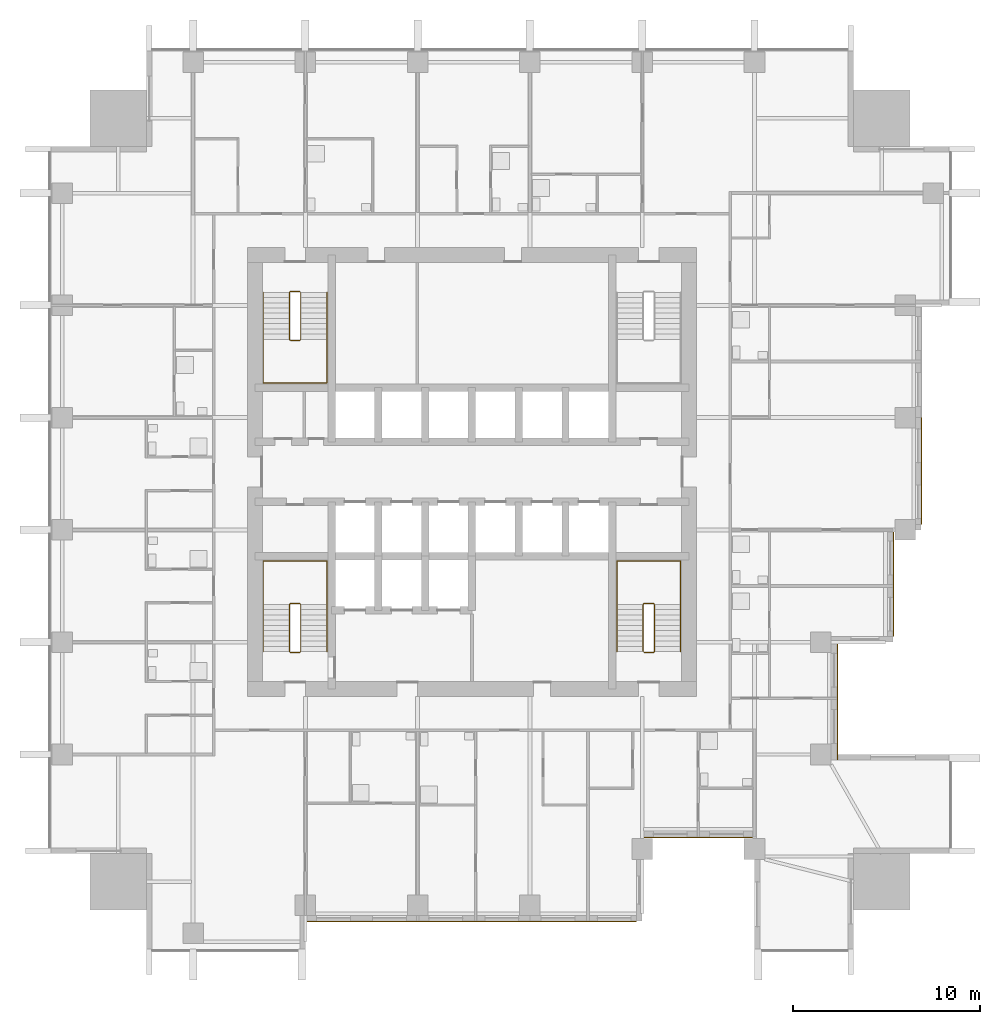
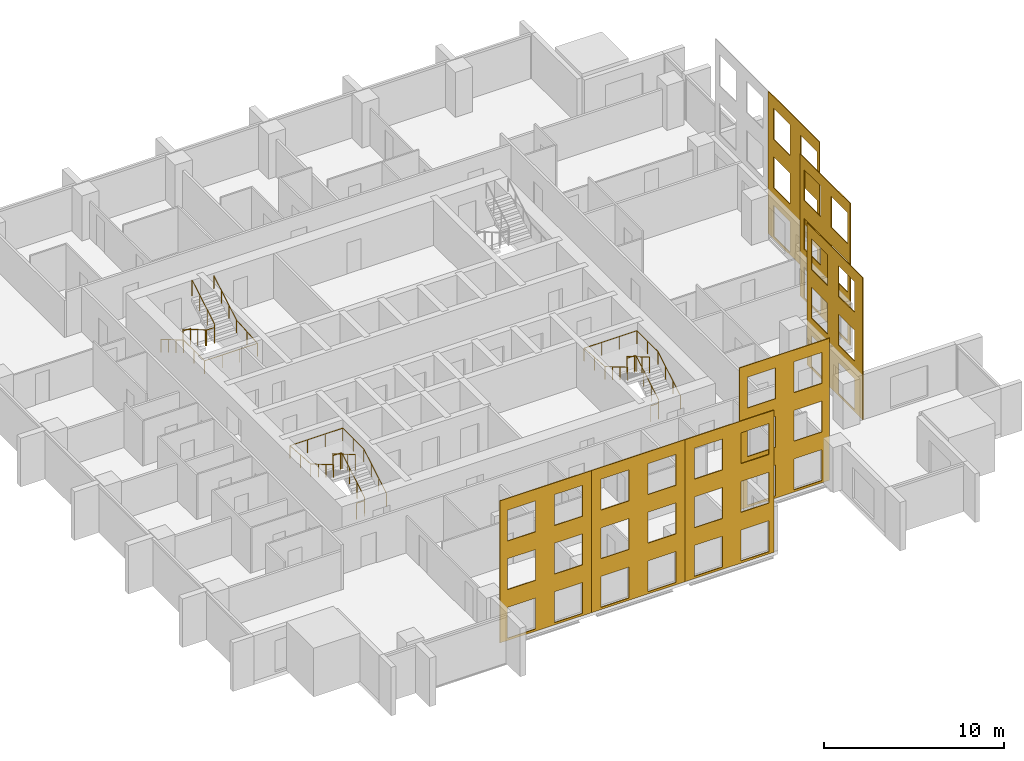
# One storey, part 9 of 11: 7 coverings, 6 railings.
"""IFC4 building model written with IfcOpenShell, lengths in metres."""

from ifc_helpers import new_model, si_unit, direction, frame, origin, origin_2d, place, context, subcontext, project, spatial, polyline, circle, outline, extrude, material, layer, layer_set, type_object, element, save


model = new_model("IFC4")

# Units and contexts
model_context = context("Model", 3, precision=1e-05, world=origin(), true_north=direction((0.0, 1.0)))
body_context = subcontext(model_context, "Body", "Model", "MODEL_VIEW")
ifc_project = project(units=[si_unit("LENGTHUNIT", "METRE"), si_unit("AREAUNIT", "SQUARE_METRE"), si_unit("VOLUMEUNIT", "CUBIC_METRE"), si_unit("PLANEANGLEUNIT", "RADIAN"), si_unit("MASSUNIT", "GRAM", prefix="KILO")], contexts=[model_context])

# Site, building, storey
site_placement = place(None, origin())
site = spatial("IfcSite", under=ifc_project, at=site_placement, CompositionType="ELEMENT")
building_placement = place(site_placement, origin())
building = spatial("IfcBuilding", under=site, at=building_placement, Name="Amberfall Residences", CompositionType="ELEMENT")
storey_placement = place(building_placement, frame((0.0, 0.0, 98.5)))
storey = spatial("IfcBuildingStorey", under=building, at=storey_placement, Name="L26", CompositionType="ELEMENT", Elevation=98.5)

# Coverings
ifc_material_1 = material(Name="Pale limestone cladding", Category="masonry")
ifc_layer = layer(ifc_material_1, 0.050048828125)
ifc_layer_set = layer_set([ifc_layer], Name="Limestone fascia 50")
covering_type = type_object("IfcCoveringType", Name="Limestone fascia 50", PredefinedType="CLADDING", material=ifc_layer_set)
covering_1_placement = place(storey_placement, frame((65.68994140625, 21.5, 9.64990234375), z_axis=(0.0, 1.0, 0.0), x_axis=(1.0, 0.0, 0.0)))
element("IfcCovering", 1, at=covering_1_placement, inside=storey, type_object=covering_type, Name="Pale limestone cladding L26-L28 S", PredefinedType="CLADDING", context=body_context, shape_type="SweptSolid", body=[
    extrude(outline(polyline([(0.0, 0.0), (5.91015625, 0.0), (5.91015625, 9.64990234375), (0.0, 9.64990234375), (0.0, 0.0)]), holes=[polyline([(0.510009765625, 7.39990234375), (2.31005859375, 7.39990234375), (2.31005859375, 9.5), (0.510009765625, 9.5), (0.510009765625, 7.39990234375)]), polyline([(3.510009765625, 7.39990234375), (5.31005859375, 7.39990234375), (5.31005859375, 9.5), (3.510009765625, 9.5), (3.510009765625, 7.39990234375)]), polyline([(0.510009765625, 4.099853515625), (2.31005859375, 4.099853515625), (2.31005859375, 6.199951171875), (0.510009765625, 6.199951171875), (0.510009765625, 4.099853515625)]), polyline([(3.510009765625, 4.099853515625), (5.31005859375, 4.099853515625), (5.31005859375, 6.199951171875), (3.510009765625, 6.199951171875), (3.510009765625, 4.099853515625)]), polyline([(0.510009765625, 0.7998046875), (2.31005859375, 0.7998046875), (2.31005859375, 2.89990234375), (0.510009765625, 2.89990234375), (0.510009765625, 0.7998046875)]), polyline([(3.510009765625, 0.7998046875), (5.31005859375, 0.7998046875), (5.31005859375, 2.89990234375), (3.510009765625, 2.89990234375), (3.510009765625, 0.7998046875)])]), origin(), (0.0, 0.0, -1.0), 0.050048828125),
])
covering_2_placement = place(storey_placement, frame((98.5, 42.699951171875, 9.64990234375), z_axis=(-1.0, 0.0, 0.0), x_axis=(0.0, 1.0, 0.0)))
element("IfcCovering", 2, at=covering_2_placement, inside=storey, type_object=covering_type, Name="Pale limestone cladding L26-L28 E", PredefinedType="CLADDING", context=body_context, shape_type="SweptSolid", body=[
    extrude(outline(polyline([(0.0, 0.0), (5.699951171875, 0.0), (5.699951171875, 9.64990234375), (0.0, 9.64990234375), (0.0, 0.0)]), holes=[polyline([(0.300048828125, 7.39990234375), (2.10009765625, 7.39990234375), (2.10009765625, 9.5), (0.300048828125, 9.5), (0.300048828125, 7.39990234375)]), polyline([(3.300048828125, 7.39990234375), (5.10009765625, 7.39990234375), (5.10009765625, 9.5), (3.300048828125, 9.5), (3.300048828125, 7.39990234375)]), polyline([(0.300048828125, 4.099853515625), (2.10009765625, 4.099853515625), (2.10009765625, 6.199951171875), (0.300048828125, 6.199951171875), (0.300048828125, 4.099853515625)]), polyline([(3.300048828125, 4.099853515625), (5.10009765625, 4.099853515625), (5.10009765625, 6.199951171875), (3.300048828125, 6.199951171875), (3.300048828125, 4.099853515625)]), polyline([(0.300048828125, 0.7998046875), (2.10009765625, 0.7998046875), (2.10009765625, 2.89990234375), (0.300048828125, 2.89990234375), (0.300048828125, 0.7998046875)]), polyline([(3.300048828125, 0.7998046875), (5.10009765625, 0.7998046875), (5.10009765625, 2.89990234375), (3.300048828125, 2.89990234375), (3.300048828125, 0.7998046875)])]), origin(), (0.0, 0.0, -1.0), 0.050048828125),
])
covering_3_placement = place(storey_placement, frame((94.0, 30.10009765625, 9.64990234375), z_axis=(-1.0, 0.0, 0.0), x_axis=(0.0, 1.0, 0.0)))
element("IfcCovering", 3, at=covering_3_placement, inside=storey, type_object=covering_type, Name="Pale limestone cladding L26-L28 E", PredefinedType="CLADDING", context=body_context, shape_type="SweptSolid", body=[
    extrude(outline(polyline([(0.0, 0.0), (6.2099609375, 0.0), (6.2099609375, 9.64990234375), (0.0, 9.64990234375), (0.0, 0.0)]), holes=[polyline([(0.89990234375, 7.39990234375), (2.699951171875, 7.39990234375), (2.699951171875, 9.5), (0.89990234375, 9.5), (0.89990234375, 7.39990234375)]), polyline([(3.89990234375, 7.39990234375), (5.699951171875, 7.39990234375), (5.699951171875, 9.5), (3.89990234375, 9.5), (3.89990234375, 7.39990234375)]), polyline([(0.89990234375, 4.099853515625), (2.699951171875, 4.099853515625), (2.699951171875, 6.199951171875), (0.89990234375, 6.199951171875), (0.89990234375, 4.099853515625)]), polyline([(3.89990234375, 4.099853515625), (5.699951171875, 4.099853515625), (5.699951171875, 6.199951171875), (3.89990234375, 6.199951171875), (3.89990234375, 4.099853515625)]), polyline([(0.89990234375, 0.7998046875), (2.699951171875, 0.7998046875), (2.699951171875, 2.89990234375), (0.89990234375, 2.89990234375), (0.89990234375, 0.7998046875)]), polyline([(3.89990234375, 0.7998046875), (5.699951171875, 0.7998046875), (5.699951171875, 2.89990234375), (3.89990234375, 2.89990234375), (3.89990234375, 0.7998046875)])]), origin(), (0.0, 0.0, -1.0), 0.050048828125),
])
covering_4_placement = place(storey_placement, frame((71.60009765625, 21.5, 9.64990234375), z_axis=(0.0, 1.0, 0.0), x_axis=(1.0, 0.0, 0.0)))
element("IfcCovering", 4, at=covering_4_placement, inside=storey, type_object=covering_type, Name="Pale limestone cladding L26-L28 S", PredefinedType="CLADDING", context=body_context, shape_type="SweptSolid", body=[
    extrude(outline(polyline([(0.0, 0.0), (6.0, 0.0), (6.0, 9.64990234375), (0.0, 9.64990234375), (0.0, 0.0)]), holes=[polyline([(0.599853515625, 7.39990234375), (2.39990234375, 7.39990234375), (2.39990234375, 9.5), (0.599853515625, 9.5), (0.599853515625, 7.39990234375)]), polyline([(3.599853515625, 7.39990234375), (5.39990234375, 7.39990234375), (5.39990234375, 9.5), (3.599853515625, 9.5), (3.599853515625, 7.39990234375)]), polyline([(0.599853515625, 4.099853515625), (2.39990234375, 4.099853515625), (2.39990234375, 6.199951171875), (0.599853515625, 6.199951171875), (0.599853515625, 4.099853515625)]), polyline([(3.599853515625, 4.099853515625), (5.39990234375, 4.099853515625), (5.39990234375, 6.199951171875), (3.599853515625, 6.199951171875), (3.599853515625, 4.099853515625)]), polyline([(0.599853515625, 0.7998046875), (2.39990234375, 0.7998046875), (2.39990234375, 2.89990234375), (0.599853515625, 2.89990234375), (0.599853515625, 0.7998046875)]), polyline([(3.599853515625, 0.7998046875), (5.39990234375, 0.7998046875), (5.39990234375, 2.89990234375), (3.599853515625, 2.89990234375), (3.599853515625, 0.7998046875)])]), origin(), (0.0, 0.0, -1.0), 0.050048828125),
])
covering_5_placement = place(storey_placement, frame((77.60009765625, 21.5, 9.64990234375), z_axis=(0.0, 1.0, 0.0), x_axis=(1.0, 0.0, 0.0)))
element("IfcCovering", 5, at=covering_5_placement, inside=storey, type_object=covering_type, Name="Pale limestone cladding L26-L28 S", PredefinedType="CLADDING", context=body_context, shape_type="SweptSolid", body=[
    extrude(outline(polyline([(0.0, 0.0), (5.699951171875, 0.0), (5.699951171875, 9.64990234375), (0.0, 9.64990234375), (0.0, 0.0)]), holes=[polyline([(0.599853515625, 7.39990234375), (2.39990234375, 7.39990234375), (2.39990234375, 9.5), (0.599853515625, 9.5), (0.599853515625, 7.39990234375)]), polyline([(3.599853515625, 7.39990234375), (5.39990234375, 7.39990234375), (5.39990234375, 9.5), (3.599853515625, 9.5), (3.599853515625, 7.39990234375)]), polyline([(0.599853515625, 4.099853515625), (2.39990234375, 4.099853515625), (2.39990234375, 6.199951171875), (0.599853515625, 6.199951171875), (0.599853515625, 4.099853515625)]), polyline([(3.599853515625, 4.099853515625), (5.39990234375, 4.099853515625), (5.39990234375, 6.199951171875), (3.599853515625, 6.199951171875), (3.599853515625, 4.099853515625)]), polyline([(0.599853515625, 0.7998046875), (2.39990234375, 0.7998046875), (2.39990234375, 2.89990234375), (0.599853515625, 2.89990234375), (0.599853515625, 0.7998046875)]), polyline([(3.599853515625, 0.7998046875), (5.39990234375, 0.7998046875), (5.39990234375, 2.89990234375), (3.599853515625, 2.89990234375), (3.599853515625, 0.7998046875)])]), origin(), (0.0, 0.0, -1.0), 0.050048828125),
])
covering_6_placement = place(storey_placement, frame((83.699951171875, 26.0, 9.64990234375), z_axis=(0.0, 1.0, 0.0), x_axis=(1.0, 0.0, 0.0)))
element("IfcCovering", 6, at=covering_6_placement, inside=storey, type_object=covering_type, Name="Pale limestone cladding L26-L28 S", PredefinedType="CLADDING", context=body_context, shape_type="SweptSolid", body=[
    extrude(outline(polyline([(0.0, 0.0), (5.7900390625, 0.0), (5.7900390625, 9.64990234375), (0.0, 9.64990234375), (0.0, 0.0)]), holes=[polyline([(0.5, 7.39990234375), (2.300048828125, 7.39990234375), (2.300048828125, 9.5), (0.5, 9.5), (0.5, 7.39990234375)]), polyline([(3.5, 7.39990234375), (5.300048828125, 7.39990234375), (5.300048828125, 9.5), (3.5, 9.5), (3.5, 7.39990234375)]), polyline([(0.5, 4.099853515625), (2.300048828125, 4.099853515625), (2.300048828125, 6.199951171875), (0.5, 6.199951171875), (0.5, 4.099853515625)]), polyline([(3.5, 4.099853515625), (5.300048828125, 4.099853515625), (5.300048828125, 6.199951171875), (3.5, 6.199951171875), (3.5, 4.099853515625)]), polyline([(0.5, 0.7998046875), (2.300048828125, 0.7998046875), (2.300048828125, 2.89990234375), (0.5, 2.89990234375), (0.5, 0.7998046875)]), polyline([(3.5, 0.7998046875), (5.300048828125, 0.7998046875), (5.300048828125, 2.89990234375), (3.5, 2.89990234375), (3.5, 0.7998046875)])]), origin(), (0.0, 0.0, -1.0), 0.050048828125),
])
covering_7_placement = place(storey_placement, frame((97.0, 36.699951171875, 9.64990234375), z_axis=(-1.0, 0.0, 0.0), x_axis=(0.0, 1.0, 0.0)))
element("IfcCovering", 7, at=covering_7_placement, inside=storey, type_object=covering_type, Name="Pale limestone cladding L26-L28 E", PredefinedType="CLADDING", context=body_context, shape_type="SweptSolid", body=[
    extrude(outline(polyline([(0.0, 0.0), (5.590087890625, 0.0), (5.590087890625, 9.64990234375), (0.0, 9.64990234375), (0.0, 0.0)]), holes=[polyline([(0.300048828125, 7.39990234375), (2.10009765625, 7.39990234375), (2.10009765625, 9.5), (0.300048828125, 9.5), (0.300048828125, 7.39990234375)]), polyline([(3.300048828125, 7.39990234375), (5.10009765625, 7.39990234375), (5.10009765625, 9.5), (3.300048828125, 9.5), (3.300048828125, 7.39990234375)]), polyline([(0.300048828125, 4.099853515625), (2.10009765625, 4.099853515625), (2.10009765625, 6.199951171875), (0.300048828125, 6.199951171875), (0.300048828125, 4.099853515625)]), polyline([(3.300048828125, 4.099853515625), (5.10009765625, 4.099853515625), (5.10009765625, 6.199951171875), (3.300048828125, 6.199951171875), (3.300048828125, 4.099853515625)]), polyline([(0.300048828125, 0.7998046875), (2.10009765625, 0.7998046875), (2.10009765625, 2.89990234375), (0.300048828125, 2.89990234375), (0.300048828125, 0.7998046875)]), polyline([(3.300048828125, 0.7998046875), (5.10009765625, 0.7998046875), (5.10009765625, 2.89990234375), (3.300048828125, 2.89990234375), (3.300048828125, 0.7998046875)])]), origin(), (0.0, 0.0, -1.0), 0.050048828125),
])

# Railings
ifc_material_2 = material(Name="Stainless steel 316", Category="steel")
railing_type_1 = type_object("IfcRailingType", Name="Stair guard 1100", PredefinedType="GUARDRAIL", material=ifc_material_2)
railing_1_placement = place(storey_placement, frame((64.800048828125, 35.85009765625, 0.0)))
element("IfcRailing", 8, at=railing_1_placement, inside=storey, type_object=railing_type_1, Name="L26 stair 1 guard", PredefinedType="GUARDRAIL", context=body_context, shape_type="SweptSolid", body=[
    extrude(circle(Radius=0.02392578125, at=origin_2d()), frame((0.0, 0.0, 1.076171875), z_axis=(1.0, 0.0, 0.0), x_axis=(0.0, 1.0, 0.0)), (0.0, 0.0, 1.0), 0.5),
    extrude(circle(Radius=0.02392578125, at=origin_2d()), frame((0.5, 0.0, 1.076171875), z_axis=(0.278810427259, 0.277450376394, 0.919394384522), x_axis=(-0.705375805398, 0.708833529934, 0.0)), (0.0, 0.0, 1.0), 0.179443359375),
    extrude(circle(Radius=0.02392578125, at=origin_2d()), frame((0.550048828125, 0.0498046875, 1.2412109375), z_axis=(0.0, 0.861560626758, 0.507654692109), x_axis=(-1.0, 0.0, 0.0)), (0.0, 0.0, 1.0), 2.925048828125),
    extrude(circle(Radius=0.02392578125, at=origin_2d()), frame((0.550048828125, 2.56982421875, 2.72607421875), z_axis=(-0.707106781187, 0.707106781187, 0.0), x_axis=(-0.707106781187, -0.707106781187, 0.0)), (0.0, 0.0, 1.0), 0.07080078125),
    extrude(circle(Radius=0.02392578125, at=origin_2d()), frame((0.5, 2.619873046875, 2.72607421875), z_axis=(-1.0, 0.0, 0.0), x_axis=(0.0, -1.0, 0.0)), (0.0, 0.0, 1.0), 0.5),
    extrude(circle(Radius=0.02392578125, at=origin_2d()), frame((0.0, 2.619873046875, 2.72607421875), z_axis=(-0.278705021027, -0.278705021027, 0.919046801044), x_axis=(0.707106781187, -0.707106781187, 0.0)), (0.0, 0.0, 1.0), 0.1796875),
    extrude(circle(Radius=0.02392578125, at=origin_2d()), frame((-0.050048828125, 2.56982421875, 2.89111328125), z_axis=(0.0, -0.86152411907, 0.507716645641), x_axis=(1.0, 0.0, 0.0)), (0.0, 0.0, 1.0), 2.925048828125),
    extrude(circle(Radius=0.02099609375, at=origin_2d()), origin(), (0.0, 0.0, 1.0), 1.052001953125),
    extrude(circle(Radius=0.02099609375, at=origin_2d()), frame((0.5, 0.0, 0.0)), (0.0, 0.0, 1.0), 1.052001953125),
    extrude(circle(Radius=0.02099609375, at=origin_2d()), frame((0.550048828125, 0.0498046875, 0.1650390625)), (0.0, 0.0, 1.0), 1.052001953125),
    extrude(circle(Radius=0.02099609375, at=origin_2d()), frame((0.550048828125, 0.889892578125, 0.659912109375)), (0.0, 0.0, 1.0), 1.052001953125),
    extrude(circle(Radius=0.02099609375, at=origin_2d()), frame((0.550048828125, 1.729736328125, 1.155029296875)), (0.0, 0.0, 1.0), 1.052001953125),
    extrude(circle(Radius=0.02099609375, at=origin_2d()), frame((0.550048828125, 2.56982421875, 1.64990234375)), (0.0, 0.0, 1.0), 1.052001953125),
    extrude(circle(Radius=0.02099609375, at=origin_2d()), frame((0.5, 2.619873046875, 1.64990234375)), (0.0, 0.0, 1.0), 1.052001953125),
    extrude(circle(Radius=0.02099609375, at=origin_2d()), frame((0.0, 2.619873046875, 1.64990234375)), (0.0, 0.0, 1.0), 1.052001953125),
    extrude(circle(Radius=0.02099609375, at=origin_2d()), frame((-0.050048828125, 2.56982421875, 1.81494140625)), (0.0, 0.0, 1.0), 1.052001953125),
    extrude(circle(Radius=0.02099609375, at=origin_2d()), frame((-0.050048828125, 1.729736328125, 2.31005859375)), (0.0, 0.0, 1.0), 1.052001953125),
    extrude(circle(Radius=0.02099609375, at=origin_2d()), frame((-0.050048828125, 0.889892578125, 2.804931640625)), (0.0, 0.0, 1.0), 1.052001953125),
    extrude(circle(Radius=0.02099609375, at=origin_2d()), frame((-0.050048828125, 0.0498046875, 3.300048828125)), (0.0, 0.0, 1.0), 1.052001953125),
])
railing_2_placement = place(storey_placement, frame((83.699951171875, 35.85009765625, 0.0)))
element("IfcRailing", 9, at=railing_2_placement, inside=storey, type_object=railing_type_1, Name="L26 stair 2 guard", PredefinedType="GUARDRAIL", context=body_context, shape_type="SweptSolid", body=[
    extrude(circle(Radius=0.02392578125, at=origin_2d()), frame((0.0, 0.0, 1.076171875), z_axis=(1.0, 0.0, 0.0), x_axis=(0.0, 1.0, 0.0)), (0.0, 0.0, 1.0), 0.5),
    extrude(circle(Radius=0.02392578125, at=origin_2d()), frame((0.5, 0.0, 1.076171875), z_axis=(0.278810427259, 0.277450376394, 0.919394384522), x_axis=(-0.705375805398, 0.708833529934, 0.0)), (0.0, 0.0, 1.0), 0.179443359375),
    extrude(circle(Radius=0.02392578125, at=origin_2d()), frame((0.550048828125, 0.0498046875, 1.2412109375), z_axis=(0.0, 0.861560626758, 0.507654692109), x_axis=(-1.0, 0.0, 0.0)), (0.0, 0.0, 1.0), 2.925048828125),
    extrude(circle(Radius=0.02392578125, at=origin_2d()), frame((0.550048828125, 2.56982421875, 2.72607421875), z_axis=(-0.707106781187, 0.707106781187, 0.0), x_axis=(-0.707106781187, -0.707106781187, 0.0)), (0.0, 0.0, 1.0), 0.07080078125),
    extrude(circle(Radius=0.02392578125, at=origin_2d()), frame((0.5, 2.619873046875, 2.72607421875), z_axis=(-1.0, 0.0, 0.0), x_axis=(0.0, -1.0, 0.0)), (0.0, 0.0, 1.0), 0.5),
    extrude(circle(Radius=0.02392578125, at=origin_2d()), frame((0.0, 2.619873046875, 2.72607421875), z_axis=(-0.278705021027, -0.278705021027, 0.919046801044), x_axis=(0.707106781187, -0.707106781187, 0.0)), (0.0, 0.0, 1.0), 0.1796875),
    extrude(circle(Radius=0.02392578125, at=origin_2d()), frame((-0.050048828125, 2.56982421875, 2.89111328125), z_axis=(0.0, -0.86152411907, 0.507716645641), x_axis=(1.0, 0.0, 0.0)), (0.0, 0.0, 1.0), 2.925048828125),
    extrude(circle(Radius=0.02099609375, at=origin_2d()), origin(), (0.0, 0.0, 1.0), 1.052001953125),
    extrude(circle(Radius=0.02099609375, at=origin_2d()), frame((0.5, 0.0, 0.0)), (0.0, 0.0, 1.0), 1.052001953125),
    extrude(circle(Radius=0.02099609375, at=origin_2d()), frame((0.550048828125, 0.0498046875, 0.1650390625)), (0.0, 0.0, 1.0), 1.052001953125),
    extrude(circle(Radius=0.02099609375, at=origin_2d()), frame((0.550048828125, 0.889892578125, 0.659912109375)), (0.0, 0.0, 1.0), 1.052001953125),
    extrude(circle(Radius=0.02099609375, at=origin_2d()), frame((0.550048828125, 1.729736328125, 1.155029296875)), (0.0, 0.0, 1.0), 1.052001953125),
    extrude(circle(Radius=0.02099609375, at=origin_2d()), frame((0.550048828125, 2.56982421875, 1.64990234375)), (0.0, 0.0, 1.0), 1.052001953125),
    extrude(circle(Radius=0.02099609375, at=origin_2d()), frame((0.5, 2.619873046875, 1.64990234375)), (0.0, 0.0, 1.0), 1.052001953125),
    extrude(circle(Radius=0.02099609375, at=origin_2d()), frame((0.0, 2.619873046875, 1.64990234375)), (0.0, 0.0, 1.0), 1.052001953125),
    extrude(circle(Radius=0.02099609375, at=origin_2d()), frame((-0.050048828125, 2.56982421875, 1.81494140625)), (0.0, 0.0, 1.0), 1.052001953125),
    extrude(circle(Radius=0.02099609375, at=origin_2d()), frame((-0.050048828125, 1.729736328125, 2.31005859375)), (0.0, 0.0, 1.0), 1.052001953125),
    extrude(circle(Radius=0.02099609375, at=origin_2d()), frame((-0.050048828125, 0.889892578125, 2.804931640625)), (0.0, 0.0, 1.0), 1.052001953125),
    extrude(circle(Radius=0.02099609375, at=origin_2d()), frame((-0.050048828125, 0.0498046875, 3.300048828125)), (0.0, 0.0, 1.0), 1.052001953125),
])
railing_3_placement = place(storey_placement, frame((65.300048828125, 55.14990234375, 0.0)))
element("IfcRailing", 10, at=railing_3_placement, inside=storey, type_object=railing_type_1, Name="L26 stair 4 guard", PredefinedType="GUARDRAIL", context=body_context, shape_type="SweptSolid", body=[
    extrude(circle(Radius=0.02392578125, at=origin_2d()), frame((0.0, 0.0, 1.076171875), z_axis=(-1.0, 0.0, 0.0), x_axis=(0.0, -1.0, 0.0)), (0.0, 0.0, 1.0), 0.5),
    extrude(circle(Radius=0.02392578125, at=origin_2d()), frame((-0.5, 0.0, 1.076171875), z_axis=(-0.278810427259, -0.277450376394, 0.919394384522), x_axis=(0.705375805398, -0.708833529934, 0.0)), (0.0, 0.0, 1.0), 0.179443359375),
    extrude(circle(Radius=0.02392578125, at=origin_2d()), frame((-0.550048828125, -0.0498046875, 1.2412109375), z_axis=(0.0, -0.861560626758, 0.507654692109), x_axis=(1.0, 0.0, 0.0)), (0.0, 0.0, 1.0), 2.925048828125),
    extrude(circle(Radius=0.02392578125, at=origin_2d()), frame((-0.550048828125, -2.56982421875, 2.72607421875), z_axis=(0.707106781187, -0.707106781187, 0.0), x_axis=(0.707106781187, 0.707106781187, 0.0)), (0.0, 0.0, 1.0), 0.07080078125),
    extrude(circle(Radius=0.02392578125, at=origin_2d()), frame((-0.5, -2.619873046875, 2.72607421875), z_axis=(1.0, 0.0, 0.0), x_axis=(0.0, 1.0, 0.0)), (0.0, 0.0, 1.0), 0.5),
    extrude(circle(Radius=0.02392578125, at=origin_2d()), frame((0.0, -2.619873046875, 2.72607421875), z_axis=(0.278705021027, 0.278705021027, 0.919046801044), x_axis=(-0.707106781187, 0.707106781187, 0.0)), (0.0, 0.0, 1.0), 0.1796875),
    extrude(circle(Radius=0.02392578125, at=origin_2d()), frame((0.050048828125, -2.56982421875, 2.89111328125), z_axis=(0.0, 0.86152411907, 0.507716645641), x_axis=(-1.0, 0.0, 0.0)), (0.0, 0.0, 1.0), 2.925048828125),
    extrude(circle(Radius=0.02099609375, at=origin_2d()), origin(), (0.0, 0.0, 1.0), 1.052001953125),
    extrude(circle(Radius=0.02099609375, at=origin_2d()), frame((-0.5, 0.0, 0.0)), (0.0, 0.0, 1.0), 1.052001953125),
    extrude(circle(Radius=0.02099609375, at=origin_2d()), frame((-0.550048828125, -0.0498046875, 0.1650390625)), (0.0, 0.0, 1.0), 1.052001953125),
    extrude(circle(Radius=0.02099609375, at=origin_2d()), frame((-0.550048828125, -0.889892578125, 0.659912109375)), (0.0, 0.0, 1.0), 1.052001953125),
    extrude(circle(Radius=0.02099609375, at=origin_2d()), frame((-0.550048828125, -1.729736328125, 1.155029296875)), (0.0, 0.0, 1.0), 1.052001953125),
    extrude(circle(Radius=0.02099609375, at=origin_2d()), frame((-0.550048828125, -2.56982421875, 1.64990234375)), (0.0, 0.0, 1.0), 1.052001953125),
    extrude(circle(Radius=0.02099609375, at=origin_2d()), frame((-0.5, -2.619873046875, 1.64990234375)), (0.0, 0.0, 1.0), 1.052001953125),
    extrude(circle(Radius=0.02099609375, at=origin_2d()), frame((0.0, -2.619873046875, 1.64990234375)), (0.0, 0.0, 1.0), 1.052001953125),
    extrude(circle(Radius=0.02099609375, at=origin_2d()), frame((0.050048828125, -2.56982421875, 1.81494140625)), (0.0, 0.0, 1.0), 1.052001953125),
    extrude(circle(Radius=0.02099609375, at=origin_2d()), frame((0.050048828125, -1.729736328125, 2.31005859375)), (0.0, 0.0, 1.0), 1.052001953125),
    extrude(circle(Radius=0.02099609375, at=origin_2d()), frame((0.050048828125, -0.889892578125, 2.804931640625)), (0.0, 0.0, 1.0), 1.052001953125),
    extrude(circle(Radius=0.02099609375, at=origin_2d()), frame((0.050048828125, -0.0498046875, 3.300048828125)), (0.0, 0.0, 1.0), 1.052001953125),
])
railing_type_2 = type_object("IfcRailingType", Name="Stair handrail 900", PredefinedType="HANDRAIL", material=ifc_material_2)
railing_4_placement = place(storey_placement, frame((66.75, 35.89990234375, 0.1650390625)))
element("IfcRailing", 11, at=railing_4_placement, inside=storey, type_object=railing_type_2, Name="L26 stair 1 handrail", PredefinedType="HANDRAIL", context=body_context, shape_type="SweptSolid", body=[
    extrude(circle(Radius=0.02392578125, at=origin_2d()), frame((0.0, 0.0, 0.8759765625), z_axis=(0.0, 0.861560626758, 0.507654692109), x_axis=(-1.0, 0.0, 0.0)), (0.0, 0.0, 1.0), 2.925048828125),
    extrude(circle(Radius=0.02392578125, at=origin_2d()), frame((0.0, 2.52001953125, 2.36083984375), z_axis=(0.0, 1.0, 0.0), x_axis=(-1.0, 0.0, 0.0)), (0.0, 0.0, 1.0), 2.330078125),
    extrude(circle(Radius=0.02392578125, at=origin_2d()), frame((0.0, 4.85009765625, 2.36083984375), z_axis=(-1.0, 0.0, 0.0), x_axis=(0.0, -1.0, 0.0)), (0.0, 0.0, 1.0), 3.39990234375),
    extrude(circle(Radius=0.02392578125, at=origin_2d()), frame((-3.39990234375, 4.85009765625, 2.36083984375), z_axis=(0.0, -0.997500965899, 0.07065283455), x_axis=(1.0, 0.0, 0.0)), (0.0, 0.0, 1.0), 2.3359375),
    extrude(circle(Radius=0.02392578125, at=origin_2d()), frame((-3.39990234375, 2.52001953125, 2.52587890625), z_axis=(0.0, -0.86152411907, 0.507716645641), x_axis=(1.0, 0.0, 0.0)), (0.0, 0.0, 1.0), 2.925048828125),
    extrude(circle(Radius=0.02099609375, at=origin_2d()), origin(), (0.0, 0.0, 1.0), 0.851806640625),
    extrude(circle(Radius=0.02099609375, at=origin_2d()), frame((0.0, 0.840087890625, 0.494873046875)), (0.0, 0.0, 1.0), 0.851806640625),
    extrude(circle(Radius=0.02099609375, at=origin_2d()), frame((0.0, 1.679931640625, 0.989990234375)), (0.0, 0.0, 1.0), 0.851806640625),
    extrude(circle(Radius=0.02099609375, at=origin_2d()), frame((0.0, 2.52001953125, 1.48486328125)), (0.0, 0.0, 1.0), 0.851806640625),
    extrude(circle(Radius=0.02099609375, at=origin_2d()), frame((0.0, 3.68505859375, 1.48486328125)), (0.0, 0.0, 1.0), 0.851806640625),
    extrude(circle(Radius=0.02099609375, at=origin_2d()), frame((0.0, 4.85009765625, 1.48486328125)), (0.0, 0.0, 1.0), 0.851806640625),
    extrude(circle(Radius=0.02099609375, at=origin_2d()), frame((-1.13330078125, 4.85009765625, 1.48486328125)), (0.0, 0.0, 1.0), 0.851806640625),
    extrude(circle(Radius=0.02099609375, at=origin_2d()), frame((-2.2666015625, 4.85009765625, 1.48486328125)), (0.0, 0.0, 1.0), 0.851806640625),
    extrude(circle(Radius=0.02099609375, at=origin_2d()), frame((-3.39990234375, 4.85009765625, 1.48486328125)), (0.0, 0.0, 1.0), 0.851806640625),
    extrude(circle(Radius=0.02099609375, at=origin_2d()), frame((-3.39990234375, 3.68505859375, 1.5673828125)), (0.0, 0.0, 1.0), 0.851806640625),
    extrude(circle(Radius=0.02099609375, at=origin_2d()), frame((-3.39990234375, 2.52001953125, 1.64990234375)), (0.0, 0.0, 1.0), 0.851806640625),
    extrude(circle(Radius=0.02099609375, at=origin_2d()), frame((-3.39990234375, 1.679931640625, 2.14501953125)), (0.0, 0.0, 1.0), 0.851806640625),
    extrude(circle(Radius=0.02099609375, at=origin_2d()), frame((-3.39990234375, 0.840087890625, 2.639892578125)), (0.0, 0.0, 1.0), 0.851806640625),
    extrude(circle(Radius=0.02099609375, at=origin_2d()), frame((-3.39990234375, 0.0, 3.135009765625)), (0.0, 0.0, 1.0), 0.851806640625),
])
railing_5_placement = place(storey_placement, frame((85.64990234375, 35.89990234375, 0.1650390625)))
element("IfcRailing", 12, at=railing_5_placement, inside=storey, type_object=railing_type_2, Name="L26 stair 2 handrail", PredefinedType="HANDRAIL", context=body_context, shape_type="SweptSolid", body=[
    extrude(circle(Radius=0.02392578125, at=origin_2d()), frame((0.0, 0.0, 0.8759765625), z_axis=(0.0, 0.861560626758, 0.507654692109), x_axis=(-1.0, 0.0, 0.0)), (0.0, 0.0, 1.0), 2.925048828125),
    extrude(circle(Radius=0.02392578125, at=origin_2d()), frame((0.0, 2.52001953125, 2.36083984375), z_axis=(0.0, 1.0, 0.0), x_axis=(-1.0, 0.0, 0.0)), (0.0, 0.0, 1.0), 2.330078125),
    extrude(circle(Radius=0.02392578125, at=origin_2d()), frame((0.0, 4.85009765625, 2.36083984375), z_axis=(-1.0, 0.0, 0.0), x_axis=(0.0, -1.0, 0.0)), (0.0, 0.0, 1.0), 3.39990234375),
    extrude(circle(Radius=0.02392578125, at=origin_2d()), frame((-3.39990234375, 4.85009765625, 2.36083984375), z_axis=(0.0, -0.997500965899, 0.07065283455), x_axis=(1.0, 0.0, 0.0)), (0.0, 0.0, 1.0), 2.3359375),
    extrude(circle(Radius=0.02392578125, at=origin_2d()), frame((-3.39990234375, 2.52001953125, 2.52587890625), z_axis=(0.0, -0.86152411907, 0.507716645641), x_axis=(1.0, 0.0, 0.0)), (0.0, 0.0, 1.0), 2.925048828125),
    extrude(circle(Radius=0.02099609375, at=origin_2d()), origin(), (0.0, 0.0, 1.0), 0.851806640625),
    extrude(circle(Radius=0.02099609375, at=origin_2d()), frame((0.0, 0.840087890625, 0.494873046875)), (0.0, 0.0, 1.0), 0.851806640625),
    extrude(circle(Radius=0.02099609375, at=origin_2d()), frame((0.0, 1.679931640625, 0.989990234375)), (0.0, 0.0, 1.0), 0.851806640625),
    extrude(circle(Radius=0.02099609375, at=origin_2d()), frame((0.0, 2.52001953125, 1.48486328125)), (0.0, 0.0, 1.0), 0.851806640625),
    extrude(circle(Radius=0.02099609375, at=origin_2d()), frame((0.0, 3.68505859375, 1.48486328125)), (0.0, 0.0, 1.0), 0.851806640625),
    extrude(circle(Radius=0.02099609375, at=origin_2d()), frame((0.0, 4.85009765625, 1.48486328125)), (0.0, 0.0, 1.0), 0.851806640625),
    extrude(circle(Radius=0.02099609375, at=origin_2d()), frame((-1.13330078125, 4.85009765625, 1.48486328125)), (0.0, 0.0, 1.0), 0.851806640625),
    extrude(circle(Radius=0.02099609375, at=origin_2d()), frame((-2.2666015625, 4.85009765625, 1.48486328125)), (0.0, 0.0, 1.0), 0.851806640625),
    extrude(circle(Radius=0.02099609375, at=origin_2d()), frame((-3.39990234375, 4.85009765625, 1.48486328125)), (0.0, 0.0, 1.0), 0.851806640625),
    extrude(circle(Radius=0.02099609375, at=origin_2d()), frame((-3.39990234375, 3.68505859375, 1.5673828125)), (0.0, 0.0, 1.0), 0.851806640625),
    extrude(circle(Radius=0.02099609375, at=origin_2d()), frame((-3.39990234375, 2.52001953125, 1.64990234375)), (0.0, 0.0, 1.0), 0.851806640625),
    extrude(circle(Radius=0.02099609375, at=origin_2d()), frame((-3.39990234375, 1.679931640625, 2.14501953125)), (0.0, 0.0, 1.0), 0.851806640625),
    extrude(circle(Radius=0.02099609375, at=origin_2d()), frame((-3.39990234375, 0.840087890625, 2.639892578125)), (0.0, 0.0, 1.0), 0.851806640625),
    extrude(circle(Radius=0.02099609375, at=origin_2d()), frame((-3.39990234375, 0.0, 3.135009765625)), (0.0, 0.0, 1.0), 0.851806640625),
])
railing_6_placement = place(storey_placement, frame((63.35009765625, 55.10009765625, 0.1650390625)))
element("IfcRailing", 13, at=railing_6_placement, inside=storey, type_object=railing_type_2, Name="L26 stair 4 handrail", PredefinedType="HANDRAIL", context=body_context, shape_type="SweptSolid", body=[
    extrude(circle(Radius=0.02392578125, at=origin_2d()), frame((0.0, 0.0, 0.8759765625), z_axis=(0.0, -0.861560626758, 0.507654692109), x_axis=(1.0, 0.0, 0.0)), (0.0, 0.0, 1.0), 2.925048828125),
    extrude(circle(Radius=0.02392578125, at=origin_2d()), frame((0.0, -2.52001953125, 2.36083984375), z_axis=(0.0, -1.0, 0.0), x_axis=(1.0, 0.0, 0.0)), (0.0, 0.0, 1.0), 2.330078125),
    extrude(circle(Radius=0.02392578125, at=origin_2d()), frame((0.0, -4.85009765625, 2.36083984375), z_axis=(1.0, 0.0, 0.0), x_axis=(0.0, 1.0, 0.0)), (0.0, 0.0, 1.0), 3.39990234375),
    extrude(circle(Radius=0.02392578125, at=origin_2d()), frame((3.39990234375, -4.85009765625, 2.36083984375), z_axis=(0.0, 0.997500965899, 0.07065283455), x_axis=(-1.0, 0.0, 0.0)), (0.0, 0.0, 1.0), 2.3359375),
    extrude(circle(Radius=0.02392578125, at=origin_2d()), frame((3.39990234375, -2.52001953125, 2.52587890625), z_axis=(0.0, 0.86152411907, 0.507716645641), x_axis=(-1.0, 0.0, 0.0)), (0.0, 0.0, 1.0), 2.925048828125),
    extrude(circle(Radius=0.02099609375, at=origin_2d()), origin(), (0.0, 0.0, 1.0), 0.851806640625),
    extrude(circle(Radius=0.02099609375, at=origin_2d()), frame((0.0, -0.840087890625, 0.494873046875)), (0.0, 0.0, 1.0), 0.851806640625),
    extrude(circle(Radius=0.02099609375, at=origin_2d()), frame((0.0, -1.679931640625, 0.989990234375)), (0.0, 0.0, 1.0), 0.851806640625),
    extrude(circle(Radius=0.02099609375, at=origin_2d()), frame((0.0, -2.52001953125, 1.48486328125)), (0.0, 0.0, 1.0), 0.851806640625),
    extrude(circle(Radius=0.02099609375, at=origin_2d()), frame((0.0, -3.68505859375, 1.48486328125)), (0.0, 0.0, 1.0), 0.851806640625),
    extrude(circle(Radius=0.02099609375, at=origin_2d()), frame((0.0, -4.85009765625, 1.48486328125)), (0.0, 0.0, 1.0), 0.851806640625),
    extrude(circle(Radius=0.02099609375, at=origin_2d()), frame((1.13330078125, -4.85009765625, 1.48486328125)), (0.0, 0.0, 1.0), 0.851806640625),
    extrude(circle(Radius=0.02099609375, at=origin_2d()), frame((2.2666015625, -4.85009765625, 1.48486328125)), (0.0, 0.0, 1.0), 0.851806640625),
    extrude(circle(Radius=0.02099609375, at=origin_2d()), frame((3.39990234375, -4.85009765625, 1.48486328125)), (0.0, 0.0, 1.0), 0.851806640625),
    extrude(circle(Radius=0.02099609375, at=origin_2d()), frame((3.39990234375, -3.68505859375, 1.5673828125)), (0.0, 0.0, 1.0), 0.851806640625),
    extrude(circle(Radius=0.02099609375, at=origin_2d()), frame((3.39990234375, -2.52001953125, 1.64990234375)), (0.0, 0.0, 1.0), 0.851806640625),
    extrude(circle(Radius=0.02099609375, at=origin_2d()), frame((3.39990234375, -1.679931640625, 2.14501953125)), (0.0, 0.0, 1.0), 0.851806640625),
    extrude(circle(Radius=0.02099609375, at=origin_2d()), frame((3.39990234375, -0.840087890625, 2.639892578125)), (0.0, 0.0, 1.0), 0.851806640625),
    extrude(circle(Radius=0.02099609375, at=origin_2d()), frame((3.39990234375, 0.0, 3.135009765625)), (0.0, 0.0, 1.0), 0.851806640625),
])

save(model, "model.ifc")
